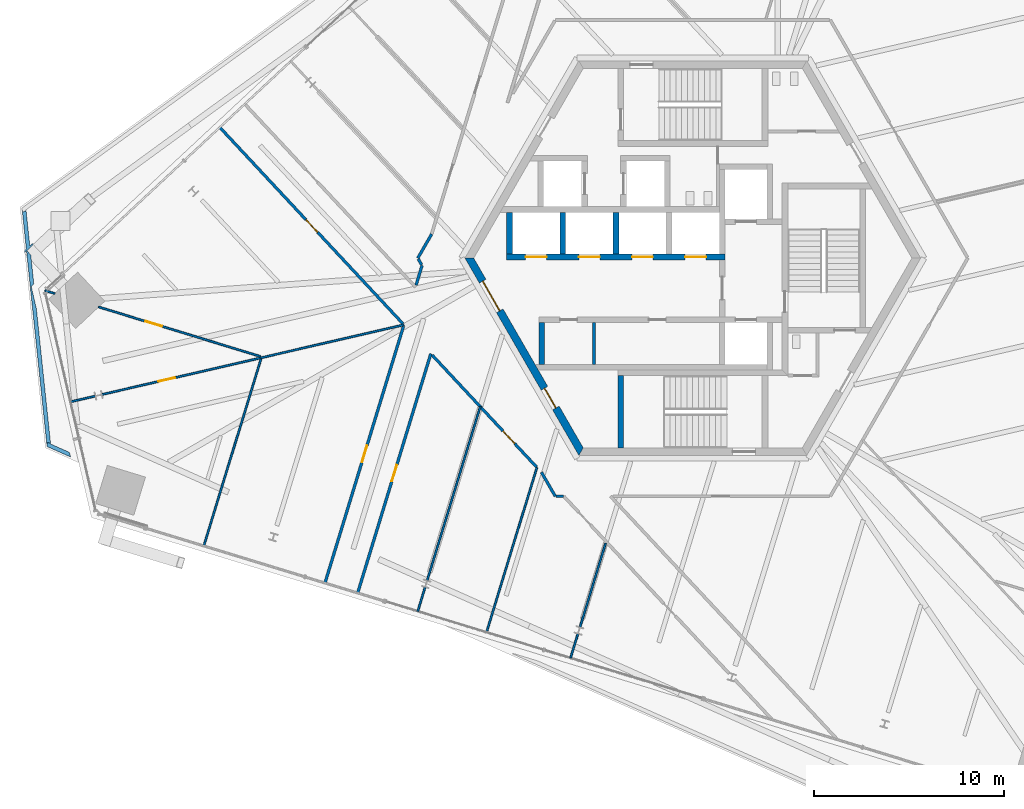
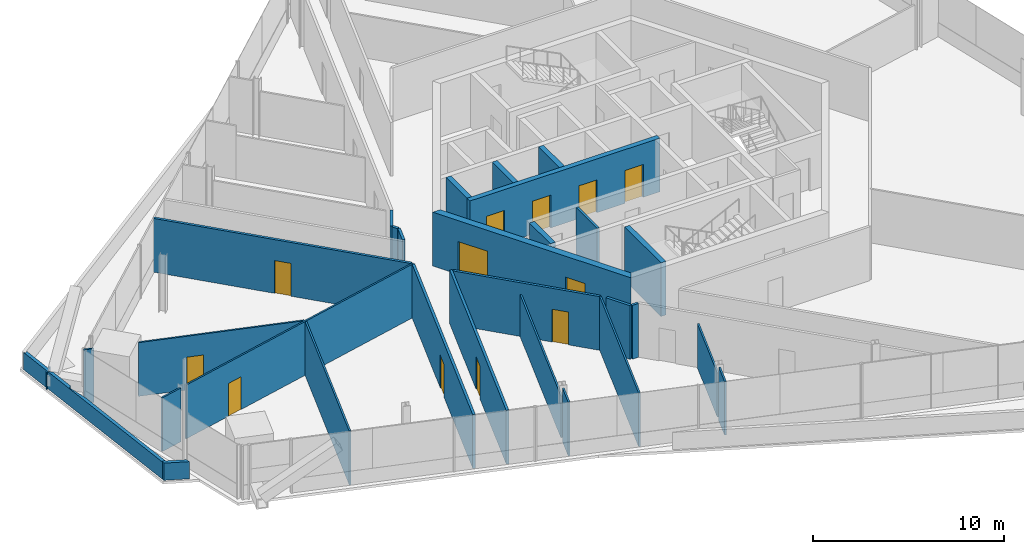
# One storey, part 18 of 25: 29 walls, 12 doors, 12 openings.
"""IFC4 building model written with IfcOpenShell, lengths in metres."""

from ifc_helpers import new_model, si_unit, direction, frame, frame_2d, origin, place, context, subcontext, project, spatial, polyline, rectangle, outline, extrude, source, transform, mapped, material, layer, layer_set, type_object, element, fill, save


model = new_model("IFC4")

# Units and contexts
model_context = context("Model", 3, precision=1e-05, world=origin(), true_north=direction((0.0, 1.0)))
body_context = subcontext(model_context, "Body", "Model", "MODEL_VIEW")
ifc_project = project(units=[si_unit("LENGTHUNIT", "METRE"), si_unit("AREAUNIT", "SQUARE_METRE"), si_unit("VOLUMEUNIT", "CUBIC_METRE"), si_unit("PLANEANGLEUNIT", "RADIAN"), si_unit("MASSUNIT", "GRAM", prefix="KILO")], contexts=[model_context])

# Site, building, storey
site_placement = place(None, origin())
site = spatial("IfcSite", under=ifc_project, at=site_placement, CompositionType="ELEMENT")
building_placement = place(site_placement, origin())
building = spatial("IfcBuilding", under=site, at=building_placement, Name="Triune Harvest Tower", CompositionType="ELEMENT")
storey_placement = place(building_placement, frame((0.0, 0.0, 98.300048828125)))
storey = spatial("IfcBuildingStorey", under=building, at=storey_placement, Name="L24", CompositionType="ELEMENT", Elevation=98.300048828125)

# Wall, opening, door
ifc_material_1 = material(Name="Gypsum board on steel studs", Category="steel")
ifc_layer_1 = layer(ifc_material_1, 0.14990234375)
ifc_layer_set_1 = layer_set([ifc_layer_1], Name="Gypsum board on steel studs")
wall_type_1 = type_object("IfcWallType", Name="Fire Partition 150 mm", PredefinedType="PARTITIONING", material=ifc_layer_set_1)
wall_1_placement = place(storey_placement, frame((-13.720947265625, -5.112548828125, 0.0), z_axis=(0.0, 0.0, 1.0), x_axis=(0.68199736401, -0.731354630452, 0.0)))
wall_1 = element("IfcWall", 1, at=wall_1_placement, inside=storey, type_object=wall_type_1, Name="Partition L24 005", PredefinedType="PARTITIONING", context=body_context, shape_type="SweptSolid", body=[
    extrude(rectangle(XDim=8.052734375, YDim=0.14990234375, at=frame_2d((4.0263671875, 0.0))), origin(), (0.0, 0.0, 1.0), 3.43994140625),
])
opening_1_placement = place(wall_1_placement, frame((5.459228515625, 0.0, 0.0)))
opening_1 = element("IfcOpeningElement", 2, at=opening_1_placement, cuts=wall_1, Name="Opening L24-014", PredefinedType="OPENING", context=body_context, shape_type="SweptSolid", body=[
    extrude(rectangle(XDim=0.89990234375, YDim=2.10009765625, at=frame_2d((0.449951171875, 1.050048828125))), frame((0.0, 0.0849609375, 0.0), z_axis=(0.0, -1.0, 0.0), x_axis=(1.0, 0.0, 0.0)), (0.0, 0.0, 1.0), 0.169921875),
])
ifc_material_2 = material(Name="Timber and steel door set", Category="steel")
door_type_1 = type_object("IfcDoorType", Name="Single leaf door FD30 left hand 900 x 2100", OperationType="SINGLE_SWING_LEFT", PredefinedType="DOOR", material=ifc_material_2)
door_1_placement = place(opening_1_placement, origin())
door_1 = element("IfcDoor", 3, at=door_1_placement, inside=storey, type_object=door_type_1, Name="Door L24-014 Phone room 24.14", OperationType="SINGLE_SWING_LEFT", OverallHeight=2.10009765625, OverallWidth=0.89990234375, PredefinedType="DOOR", context=body_context, shape_type="SweptSolid", body=[
    extrude(rectangle(XDim=0.89990234375, YDim=2.10009765625, at=frame_2d((0.449951171875, 1.050048828125))), frame((0.0, 0.02490234375, 0.0), z_axis=(0.0, -1.0, 0.0), x_axis=(1.0, 0.0, 0.0)), (0.0, 0.0, 1.0), 0.050048828125),
])
fill(opening_1, door_1)

# Walls
wall_2_placement = place(storey_placement, frame((-7.201416015625, -12.542236328125, 0.0), z_axis=(0.0, 0.0, 1.0), x_axis=(1.0, 0.0, 0.0)))
element("IfcWall", 4, at=wall_2_placement, inside=storey, type_object=wall_type_1, Name="Partition L24 023", PredefinedType="PARTITIONING", context=body_context, shape_type="SweptSolid", body=[
    extrude(rectangle(XDim=0.378662109375, YDim=0.14990234375, at=frame_2d((0.189453125, 0.0))), origin(), (0.0, 0.0, 1.0), 3.43994140625),
])
ifc_material_3 = material(Name="Concrete 40 MPa", Category="concrete")
ifc_layer_2 = layer(ifc_material_3, 0.199951171875)
ifc_layer_set_2 = layer_set([ifc_layer_2], Name="Concrete 40 MPa")
wall_type_2 = type_object("IfcWallType", Name="PA-1 parapet 200", PredefinedType="PARAPET", material=ifc_layer_set_2)
wall_3_placement = place(storey_placement, origin())
element("IfcWall", 5, at=wall_3_placement, inside=storey, type_object=wall_type_2, Name="Parapet wedge L23 3.1", PredefinedType="PARAPET", context=body_context, shape_type="SweptSolid", body=[
    extrude(outline(polyline([(-33.821044921875, -9.765869140625), (-33.818603515625, -9.788818359375), (-32.822265625, -10.232421875), (-32.765869140625, -10.4765625), (-34.005615234375, -9.924560546875), (-34.017578125, -9.809814453125), (-33.96875, -9.7001953125), (-33.821044921875, -9.765869140625)])), origin(), (0.0, 0.0, 1.0), 1.099853515625),
])
wall_4_placement = place(storey_placement, origin())
element("IfcWall", 6, at=wall_4_placement, inside=storey, type_object=wall_type_2, Name="Parapet wedge L23 3.3", PredefinedType="PARAPET", context=body_context, shape_type="SweptSolid", body=[
    extrude(outline(polyline([(-35.070556640625, 0.3916015625), (-34.865478515625, 0.171875), (-34.70458984375, -1.359619140625), (-34.84130859375, -1.48681640625), (-34.56591796875, -2.679931640625), (-33.821044921875, -9.765869140625), (-33.96875, -9.7001953125), (-34.017578125, -9.809814453125), (-35.088134765625, 0.375), (-35.1796875, 0.289794921875), (-35.190185546875, 0.389892578125), (-35.0986328125, 0.47509765625), (-35.313720703125, 2.522705078125), (-35.243408203125, 2.42578125), (-35.112548828125, 2.520751953125), (-34.91552734375, 0.64599609375), (-34.786376953125, 0.7666015625), (-34.7314453125, 0.70751953125), (-35.070556640625, 0.3916015625)])), origin(), (0.0, 0.0, 1.0), 1.099853515625),
])
ifc_material_4 = material(Name="Gypsum board on steel studs", Category="steel")
ifc_layer_3 = layer(ifc_material_4, 0.10009765625)
ifc_layer_set_3 = layer_set([ifc_layer_3], Name="Gypsum board on steel studs")
wall_type_3 = type_object("IfcWallType", Name="Partition 100 mm", PredefinedType="PARTITIONING", material=ifc_layer_set_3)
wall_5_placement = place(storey_placement, frame((-5.9423828125, -19.43701171875, 0.0), z_axis=(0.0, 0.0, 1.0), x_axis=(0.292340663711, 0.956314245602, 0.0)))
element("IfcWall", 7, at=wall_5_placement, inside=storey, type_object=wall_type_3, Name="Partition L24 034", PredefinedType="PARTITIONING", context=body_context, shape_type="SweptSolid", body=[
    extrude(rectangle(XDim=4.62158203125, YDim=0.10009765625, at=frame_2d((2.310791015625, 0.0))), origin(), (0.0, 0.0, 1.0), 2.82763671875),
])
wall_6_placement = place(storey_placement, frame((-10.864990234375, -19.708740234375, 0.0), z_axis=(0.0, 0.0, 1.0), x_axis=(0.292372185199, 0.956304609067, 0.0)))
element("IfcWall", 8, at=wall_6_placement, inside=storey, type_object=wall_type_3, Name="Partition L24 036", PredefinedType="PARTITIONING", context=body_context, shape_type="SweptSolid", body=[
    extrude(rectangle(XDim=9.082763671875, YDim=0.10009765625, at=frame_2d((4.54150390625, 0.0))), origin(), (0.0, 0.0, 1.0), 3.43994140625),
])
wall_7_placement = place(storey_placement, frame((-13.9892578125, -16.976806640625, 0.0), z_axis=(0.0, 0.0, 1.0), x_axis=(0.292364364926, 0.956306999933, 0.0)))
element("IfcWall", 9, at=wall_7_placement, inside=storey, type_object=wall_type_3, Name="Partition L24 038", PredefinedType="PARTITIONING", context=body_context, shape_type="SweptSolid", body=[
    extrude(rectangle(XDim=9.56982421875, YDim=0.10009765625, at=frame_2d((4.784912109375, 0.0))), origin(), (0.0, 0.0, 1.0), 2.682861328125),
])
wall_8_placement = place(storey_placement, frame((-25.75146484375, -15.157470703125, 0.0), z_axis=(0.0, 0.0, 1.0), x_axis=(0.292365545248, 0.956306639082, 0.0)))
element("IfcWall", 10, at=wall_8_placement, inside=storey, type_object=wall_type_3, Name="Partition L24 045", PredefinedType="PARTITIONING", context=body_context, shape_type="SweptSolid", body=[
    extrude(rectangle(XDim=10.29443359375, YDim=0.10009765625, at=frame_2d((5.147216796875, 0.0))), origin(), (0.0, 0.0, 1.0), 3.43994140625),
])

# Wall, openings, doors
ifc_material_5 = material(Name="Concrete 70 MPa", Category="concrete")
ifc_layer_4 = layer(ifc_material_5, 0.39990234375)
ifc_layer_set_4 = layer_set([ifc_layer_4], Name="Concrete 70 MPa")
wall_type_4 = type_object("IfcWallType", Name="Core wall 400", PredefinedType="SHEAR", material=ifc_layer_set_4)
shared_shape_1 = source(origin(), body_context, "Body", "SweptSolid", [
    extrude(outline(polyline([(-0.115478515625, -0.199951171875), (11.884521484375, -0.199951171875), (11.653564453125, 0.199951171875), (0.115478515625, 0.199951171875), (-0.115478515625, -0.199951171875)])), origin(), (0.0, 0.0, 1.0), 3.43994140625),
])
wall_9_placement = place(storey_placement, frame((-11.76904296875, 0.0, 0.0), z_axis=(0.0, 0.0, 1.0), x_axis=(0.499996592174, -0.866027371285, 0.0)))
wall_9 = element("IfcWall", 11, at=wall_9_placement, inside=storey, type_object=wall_type_4, Name="Hexagon 3 wall", PredefinedType="SHEAR", context=body_context, shape_type="MappedRepresentation", body=[
    mapped(shared_shape_1, transform((0.0, 0.0, 0.0), scale=1.0)),
])
opening_2_placement = place(wall_9_placement, frame((1.404541015625, 0.0, 0.0)))
opening_2 = element("IfcOpeningElement", 12, at=opening_2_placement, cuts=wall_9, Name="Opening CD-LS", PredefinedType="OPENING", context=body_context, shape_type="SweptSolid", body=[
    extrude(rectangle(XDim=1.800048828125, YDim=2.10009765625, at=frame_2d((0.89990234375, 1.050048828125))), frame((0.0, 0.2099609375, 0.0), z_axis=(0.0, -1.0, 0.0), x_axis=(1.0, 0.0, 0.0)), (0.0, 0.0, 1.0), 0.419921875),
])
opening_3_placement = place(wall_9_placement, frame((7.91455078125, 0.0, 0.0)))
opening_3 = element("IfcOpeningElement", 13, at=opening_3_placement, cuts=wall_9, Name="Opening CD-SWP", PredefinedType="OPENING", context=body_context, shape_type="SweptSolid", body=[
    extrude(rectangle(XDim=1.199951171875, YDim=2.10009765625, at=frame_2d((0.60009765625, 1.050048828125))), frame((0.0, 0.2099609375, 0.0), z_axis=(0.0, -1.0, 0.0), x_axis=(1.0, 0.0, 0.0)), (0.0, 0.0, 1.0), 0.419921875),
])
ifc_material_6 = material(Name="Steel S235", Category="steel")
door_type_2 = type_object("IfcDoorType", Name="Lobby door 1800 FD120", OperationType="DOUBLE_DOOR_DOUBLE_SWING", PredefinedType="DOOR", material=ifc_material_6)
door_2_placement = place(opening_2_placement, frame((1.800048828125, 0.0, 0.0), z_axis=(0.0, 0.0, 1.0), x_axis=(-1.0, 0.0, 0.0)))
door_2 = element("IfcDoor", 14, at=door_2_placement, inside=storey, type_object=door_type_2, Name="Door CD-LS", OperationType="DOUBLE_DOOR_DOUBLE_SWING", OverallHeight=2.10009765625, OverallWidth=1.800048828125, PredefinedType="DOOR", context=body_context, shape_type="SweptSolid", body=[
    extrude(rectangle(XDim=1.800048828125, YDim=2.10009765625, at=frame_2d((0.89990234375, 1.050048828125))), frame((0.0, 0.02490234375, 0.0), z_axis=(0.0, -1.0, 0.0), x_axis=(1.0, 0.0, 0.0)), (0.0, 0.0, 1.0), 0.050048828125),
])
fill(opening_2, door_2)
ifc_material_7 = material(Name="Steel S235", Category="steel")
door_type_3 = type_object("IfcDoorType", Name="Service door 1200 FD120", OperationType="SINGLE_SWING_LEFT", PredefinedType="DOOR", material=ifc_material_7)
door_3_placement = place(opening_3_placement, frame((1.199951171875, 0.0, 0.0), z_axis=(0.0, 0.0, 1.0), x_axis=(-1.0, 0.0, 0.0)))
door_3 = element("IfcDoor", 15, at=door_3_placement, inside=storey, type_object=door_type_3, Name="Door CD-SWP", OperationType="SINGLE_SWING_RIGHT", OverallHeight=2.10009765625, OverallWidth=1.199951171875, PredefinedType="DOOR", context=body_context, shape_type="SweptSolid", body=[
    extrude(rectangle(XDim=1.199951171875, YDim=2.10009765625, at=frame_2d((0.60009765625, 1.050048828125))), frame((0.0, 0.02490234375, 0.0), z_axis=(0.0, -1.0, 0.0), x_axis=(1.0, 0.0, 0.0)), (0.0, 0.0, 1.0), 0.050048828125),
])
fill(opening_3, door_3)

ifc_material_8 = material(Name="Concrete 70 MPa", Category="concrete")
ifc_layer_5 = layer(ifc_material_8, 0.300048828125)
ifc_layer_set_5 = layer_set([ifc_layer_5], Name="Concrete 70 MPa")
wall_type_5 = type_object("IfcWallType", Name="Core wall 300", PredefinedType="SHEAR", material=ifc_layer_set_5)
shared_shape_2 = source(origin(), body_context, "Body", "SweptSolid", [
    extrude(rectangle(XDim=11.5, YDim=0.300048828125, at=frame_2d((5.75, 0.0))), origin(), (0.0, 0.0, 1.0), 3.43994140625),
])
wall_10_placement = place(storey_placement, frame((-9.800048828125, 0.06005859375, 0.0), z_axis=(0.0, 0.0, 1.0), x_axis=(1.0, 0.0, 0.0)))
wall_10 = element("IfcWall", 16, at=wall_10_placement, inside=storey, type_object=wall_type_5, Name="North front wall", PredefinedType="SHEAR", context=body_context, shape_type="MappedRepresentation", body=[
    mapped(shared_shape_2, transform((0.0, 0.0, 0.0), scale=1.0)),
])
opening_4_placement = place(wall_10_placement, frame((1.0, 0.0, 0.0)))
opening_4 = element("IfcOpeningElement", 17, at=opening_4_placement, cuts=wall_10, Name="Opening LD-LR1-24", PredefinedType="OPENING", context=body_context, shape_type="SweptSolid", body=[
    extrude(rectangle(XDim=1.10009765625, YDim=2.10009765625, at=frame_2d((0.550048828125, 1.050048828125))), frame((0.0, 0.16015625, 0.0), z_axis=(0.0, -1.0, 0.0), x_axis=(1.0, 0.0, 0.0)), (0.0, 0.0, 1.0), 0.320068359375),
])
opening_5_placement = place(wall_10_placement, frame((3.800048828125, 0.0, 0.0)))
opening_5 = element("IfcOpeningElement", 18, at=opening_5_placement, cuts=wall_10, Name="Opening LD-LR2-24", PredefinedType="OPENING", context=body_context, shape_type="SweptSolid", body=[
    extrude(rectangle(XDim=1.10009765625, YDim=2.10009765625, at=frame_2d((0.550048828125, 1.050048828125))), frame((0.0, 0.16015625, 0.0), z_axis=(0.0, -1.0, 0.0), x_axis=(1.0, 0.0, 0.0)), (0.0, 0.0, 1.0), 0.320068359375),
])
opening_6_placement = place(wall_10_placement, frame((6.60009765625, 0.0, 0.0)))
opening_6 = element("IfcOpeningElement", 19, at=opening_6_placement, cuts=wall_10, Name="Opening LD-LR3-24", PredefinedType="OPENING", context=body_context, shape_type="SweptSolid", body=[
    extrude(rectangle(XDim=1.10009765625, YDim=2.10009765625, at=frame_2d((0.550048828125, 1.050048828125))), frame((0.0, 0.16015625, 0.0), z_axis=(0.0, -1.0, 0.0), x_axis=(1.0, 0.0, 0.0)), (0.0, 0.0, 1.0), 0.320068359375),
])
opening_7_placement = place(wall_10_placement, frame((9.39990234375, 0.0, 0.0)))
opening_7 = element("IfcOpeningElement", 20, at=opening_7_placement, cuts=wall_10, Name="Opening LD-LR4-24", PredefinedType="OPENING", context=body_context, shape_type="SweptSolid", body=[
    extrude(rectangle(XDim=1.10009765625, YDim=2.10009765625, at=frame_2d((0.550048828125, 1.050048828125))), frame((0.0, 0.16015625, 0.0), z_axis=(0.0, -1.0, 0.0), x_axis=(1.0, 0.0, 0.0)), (0.0, 0.0, 1.0), 0.320068359375),
])
ifc_material_9 = material(Name="Stainless steel AISI 304", Category="steel")
door_type_4 = type_object("IfcDoorType", Name="Landing door 1100 x 2100", OperationType="DOUBLE_DOOR_SLIDING", PredefinedType="DOOR", material=ifc_material_9)
door_4_placement = place(opening_4_placement, origin())
door_4 = element("IfcDoor", 21, at=door_4_placement, inside=storey, type_object=door_type_4, Name="Door LD-LR1-24", OperationType="DOUBLE_DOOR_SLIDING", OverallHeight=2.10009765625, OverallWidth=1.10009765625, PredefinedType="DOOR", context=body_context, shape_type="SweptSolid", body=[
    extrude(rectangle(XDim=1.10009765625, YDim=2.10009765625, at=frame_2d((0.550048828125, 1.050048828125))), frame((0.0, 0.02490234375, 0.0), z_axis=(0.0, -1.0, 0.0), x_axis=(1.0, 0.0, 0.0)), (0.0, 0.0, 1.0), 0.050048828125),
])
fill(opening_4, door_4)
door_5_placement = place(opening_5_placement, origin())
door_5 = element("IfcDoor", 22, at=door_5_placement, inside=storey, type_object=door_type_4, Name="Door LD-LR2-24", OperationType="DOUBLE_DOOR_SLIDING", OverallHeight=2.10009765625, OverallWidth=1.10009765625, PredefinedType="DOOR", context=body_context, shape_type="SweptSolid", body=[
    extrude(rectangle(XDim=1.10009765625, YDim=2.10009765625, at=frame_2d((0.550048828125, 1.050048828125))), frame((0.0, 0.02490234375, 0.0), z_axis=(0.0, -1.0, 0.0), x_axis=(1.0, 0.0, 0.0)), (0.0, 0.0, 1.0), 0.050048828125),
])
fill(opening_5, door_5)
door_6_placement = place(opening_6_placement, origin())
door_6 = element("IfcDoor", 23, at=door_6_placement, inside=storey, type_object=door_type_4, Name="Door LD-LR3-24", OperationType="DOUBLE_DOOR_SLIDING", OverallHeight=2.10009765625, OverallWidth=1.10009765625, PredefinedType="DOOR", context=body_context, shape_type="SweptSolid", body=[
    extrude(rectangle(XDim=1.10009765625, YDim=2.10009765625, at=frame_2d((0.550048828125, 1.050048828125))), frame((0.0, 0.02490234375, 0.0), z_axis=(0.0, -1.0, 0.0), x_axis=(1.0, 0.0, 0.0)), (0.0, 0.0, 1.0), 0.050048828125),
])
fill(opening_6, door_6)
door_7_placement = place(opening_7_placement, origin())
door_7 = element("IfcDoor", 24, at=door_7_placement, inside=storey, type_object=door_type_4, Name="Door LD-LR4-24", OperationType="DOUBLE_DOOR_SLIDING", OverallHeight=2.10009765625, OverallWidth=1.10009765625, PredefinedType="DOOR", context=body_context, shape_type="SweptSolid", body=[
    extrude(rectangle(XDim=1.10009765625, YDim=2.10009765625, at=frame_2d((0.550048828125, 1.050048828125))), frame((0.0, 0.02490234375, 0.0), z_axis=(0.0, -1.0, 0.0), x_axis=(1.0, 0.0, 0.0)), (0.0, 0.0, 1.0), 0.050048828125),
])
fill(opening_7, door_7)

# Walls
shared_shape_3 = source(origin(), body_context, "Body", "SweptSolid", [
    extrude(rectangle(XDim=2.2001953125, YDim=0.300048828125, at=frame_2d((1.10009765625, 0.0))), origin(), (0.0, 0.0, 1.0), 3.43994140625),
])
wall_11_placement = place(storey_placement, frame((-7.949951171875, -5.590087890625, 0.0), z_axis=(0.0, 0.0, 1.0), x_axis=(0.0, 1.0, 0.0)))
element("IfcWall", 25, at=wall_11_placement, inside=storey, type_object=wall_type_5, Name="South end west wall", PredefinedType="SHEAR", context=body_context, shape_type="MappedRepresentation", body=[
    mapped(shared_shape_3, transform((0.0, 0.0, 0.0), scale=1.0)),
])
shared_shape_4 = source(origin(), body_context, "Body", "SweptSolid", [
    extrude(rectangle(XDim=2.199951171875, YDim=0.300048828125, at=frame_2d((1.10009765625, 0.0))), origin(), (0.0, 0.0, 1.0), 3.43994140625),
])
for number, where, z_axis, x_axis, name in (
    (26, (-9.64990234375, 0.2099609375, 0.0), (0.0, 0.0, 1.0), (0.0, 1.0, 0.0), "North end west wall"),
    (27, (-6.85009765625, 0.2099609375, 0.0), (0.0, 0.0, 1.0), (0.0, 1.0, 0.0), "North cross 1 wall"),
    (28, (-4.050048828125, 0.2099609375, 0.0), (0.0, 0.0, 1.0), (0.0, 1.0, 0.0), "North cross 2 wall"),
):
    element("IfcWall", number, at=place(storey_placement, frame(where, z_axis=z_axis, x_axis=x_axis)), inside=storey, type_object=wall_type_5, Name=name, PredefinedType="SHEAR", context=body_context, shape_type="MappedRepresentation", body=[
        mapped(shared_shape_4, transform((0.0, 0.0, 0.0), scale=1.0)),
    ])
shared_shape_5 = source(origin(), body_context, "Body", "SweptSolid", [
    extrude(outline(polyline([(3.800048828125, -0.14990234375), (-0.00439453125, -0.14990234375), (-0.00439453125, 0.14990234375), (3.800048828125, 0.14990234375), (3.800048828125, -0.14990234375)])), origin(), (0.0, 0.0, 1.0), 3.43994140625),
])
wall_12_placement = place(storey_placement, frame((-3.800048828125, -9.989990234375, 0.0), z_axis=(0.0, 0.0, 1.0), x_axis=(0.0, 1.0, 0.0)))
element("IfcWall", 29, at=wall_12_placement, inside=storey, type_object=wall_type_5, Name="Stair s west wall", PredefinedType="SHEAR", context=body_context, shape_type="MappedRepresentation", body=[
    mapped(shared_shape_5, transform((0.0, 0.0, 0.0), scale=1.0)),
])
ifc_material_10 = material(Name="Concrete masonry unit", Category="masonry")
ifc_layer_6 = layer(ifc_material_10, 0.14990234375)
ifc_layer_set_6 = layer_set([ifc_layer_6], Name="Concrete masonry unit")
wall_type_6 = type_object("IfcWallType", Name="Block partition 150", PredefinedType="PARTITIONING", material=ifc_layer_set_6)
shared_shape_6 = source(origin(), body_context, "Body", "SweptSolid", [
    extrude(rectangle(XDim=2.2001953125, YDim=0.14990234375, at=frame_2d((1.10009765625, 0.0))), origin(), (0.0, 0.0, 1.0), 3.43994140625),
])
wall_13_placement = place(storey_placement, frame((-5.199951171875, -5.590087890625, 0.0), z_axis=(0.0, 0.0, 1.0), x_axis=(0.0, 1.0, 0.0)))
element("IfcWall", 30, at=wall_13_placement, inside=storey, type_object=wall_type_6, Name="Row s part 1 wall", PredefinedType="PARTITIONING", context=body_context, shape_type="MappedRepresentation", body=[
    mapped(shared_shape_6, transform((0.0, 0.0, 0.0), scale=1.0)),
])
shared_shape_7 = source(origin(), body_context, "Body", "SweptSolid", [
    extrude(rectangle(XDim=0.358642578125, YDim=0.14990234375, at=frame_2d((0.17919921875, 0.0))), origin(), (0.0, 0.0, 1.0), 3.43994140625),
])
wall_14_placement = place(storey_placement, frame((-14.457275390625, -0.044189453125, 0.0), z_axis=(0.0, 0.0, 1.0), x_axis=(0.499506421781, -0.866310183825, 0.0)))
element("IfcWall", 31, at=wall_14_placement, inside=storey, type_object=wall_type_1, Name="Partition L24 001", PredefinedType="PARTITIONING", context=body_context, shape_type="MappedRepresentation", body=[
    mapped(shared_shape_7, transform((0.0, 0.0, 0.0), scale=1.0)),
])
shared_shape_8 = source(origin(), body_context, "Body", "SweptSolid", [
    extrude(rectangle(XDim=1.45849609375, YDim=0.14990234375, at=frame_2d((0.729248046875, 0.0))), origin(), (0.0, 0.0, 1.0), 3.43994140625),
])
for number, where, z_axis, x_axis, name in (
    (32, (-7.9716796875, -11.27880859375, 0.0), (0.0, 0.0, 1.0), (0.499973600159, -0.866040645203, 0.0), "Partition L24 002"),
    (33, (-14.482421875, 0.000244140625, 0.0), (0.0, 0.0, 1.0), (0.499973600159, 0.866040645203, 0.0), "Partition L24 031"),
):
    element("IfcWall", number, at=place(storey_placement, frame(where, z_axis=z_axis, x_axis=x_axis)), inside=storey, type_object=wall_type_1, Name=name, PredefinedType="PARTITIONING", context=body_context, shape_type="MappedRepresentation", body=[
        mapped(shared_shape_8, transform((0.0, 0.0, 0.0), scale=1.0)),
    ])

# Wall, opening, door
shared_shape_9 = source(origin(), body_context, "Body", "SweptSolid", [
    extrude(rectangle(XDim=14.137451171875, YDim=0.14990234375, at=frame_2d((7.06884765625, 0.0))), origin(), (0.0, 0.0, 1.0), 3.43994140625),
])
wall_15_placement = place(storey_placement, frame((-24.909423828125, 6.885986328125, 0.0), z_axis=(0.0, 0.0, 1.0), x_axis=(0.681989618145, -0.731361853491, 0.0)))
wall_15 = element("IfcWall", 34, at=wall_15_placement, inside=storey, type_object=wall_type_1, Name="Partition L24 004", PredefinedType="PARTITIONING", context=body_context, shape_type="MappedRepresentation", body=[
    mapped(shared_shape_9, transform((0.0, 0.0, 0.0), scale=1.0)),
])
opening_8_placement = place(wall_15_placement, frame((6.650146484375, 0.0, 0.0)))
opening_8 = element("IfcOpeningElement", 35, at=opening_8_placement, cuts=wall_15, Name="Opening L24-008", PredefinedType="OPENING", context=body_context, shape_type="SweptSolid", body=[
    extrude(rectangle(XDim=0.89990234375, YDim=2.10009765625, at=frame_2d((0.449951171875, 1.050048828125))), frame((0.0, 0.0849609375, 0.0), z_axis=(0.0, -1.0, 0.0), x_axis=(1.0, 0.0, 0.0)), (0.0, 0.0, 1.0), 0.169921875),
])
ifc_material_11 = material(Name="Timber and steel door set", Category="steel")
door_type_5 = type_object("IfcDoorType", Name="Single leaf door FD30 right hand 900 x 2100", OperationType="SINGLE_SWING_RIGHT", PredefinedType="DOOR", material=ifc_material_11)
door_8_placement = place(opening_8_placement, origin())
door_8 = element("IfcDoor", 36, at=door_8_placement, inside=storey, type_object=door_type_5, Name="Door L24-008 Office 24.08", OperationType="SINGLE_SWING_RIGHT", OverallHeight=2.10009765625, OverallWidth=0.89990234375, PredefinedType="DOOR", context=body_context, shape_type="SweptSolid", body=[
    extrude(rectangle(XDim=0.89990234375, YDim=2.10009765625, at=frame_2d((0.449951171875, 1.050048828125))), frame((0.0, 0.02490234375, 0.0), z_axis=(0.0, -1.0, 0.0), x_axis=(1.0, 0.0, 0.0)), (0.0, 0.0, 1.0), 0.050048828125),
])
fill(opening_8, door_8)

wall_16_placement = place(storey_placement, frame((-19.3701171875, -17.108642578125, 0.0), z_axis=(0.0, 0.0, 1.0), x_axis=(0.292364630353, 0.956306918786, 0.0)))
wall_16 = element("IfcWall", 37, at=wall_16_placement, inside=storey, type_object=wall_type_1, Name="Partition L24 041", PredefinedType="PARTITIONING", context=body_context, shape_type="MappedRepresentation", body=[
    mapped(shared_shape_9, transform((0.0, 0.0, 0.0), scale=1.0)),
])
opening_9_placement = place(wall_16_placement, frame((6.66748046875, 0.0, 0.0)))
opening_9 = element("IfcOpeningElement", 38, at=opening_9_placement, cuts=wall_16, Name="Opening L24-012", PredefinedType="OPENING", context=body_context, shape_type="SweptSolid", body=[
    extrude(rectangle(XDim=0.89990234375, YDim=2.10009765625, at=frame_2d((0.449951171875, 1.050048828125))), frame((0.0, 0.0849609375, 0.0), z_axis=(0.0, -1.0, 0.0), x_axis=(1.0, 0.0, 0.0)), (0.0, 0.0, 1.0), 0.169921875),
])
door_9_placement = place(opening_9_placement, origin())
door_9 = element("IfcDoor", 39, at=door_9_placement, inside=storey, type_object=door_type_5, Name="Door L24-012 Office 24.12", OperationType="SINGLE_SWING_RIGHT", OverallHeight=2.10009765625, OverallWidth=0.89990234375, PredefinedType="DOOR", context=body_context, shape_type="SweptSolid", body=[
    extrude(rectangle(XDim=0.89990234375, YDim=2.10009765625, at=frame_2d((0.449951171875, 1.050048828125))), frame((0.0, 0.02490234375, 0.0), z_axis=(0.0, -1.0, 0.0), x_axis=(1.0, 0.0, 0.0)), (0.0, 0.0, 1.0), 0.050048828125),
])
fill(opening_9, door_9)

shared_shape_10 = source(origin(), body_context, "Body", "SweptSolid", [
    extrude(rectangle(XDim=13.17822265625, YDim=0.14990234375, at=frame_2d((6.589111328125, 0.0))), origin(), (0.0, 0.0, 1.0), 3.43994140625),
])
wall_17_placement = place(storey_placement, frame((-17.6484375, -17.635009765625, 0.0), z_axis=(0.0, 0.0, 1.0), x_axis=(0.292357849655, 0.956308991773, 0.0)))
wall_17 = element("IfcWall", 40, at=wall_17_placement, inside=storey, type_object=wall_type_1, Name="Partition L24 039", PredefinedType="PARTITIONING", context=body_context, shape_type="MappedRepresentation", body=[
    mapped(shared_shape_10, transform((0.0, 0.0, 0.0), scale=1.0)),
])
opening_10_placement = place(wall_17_placement, frame((6.14990234375, 0.0, 0.0)))
opening_10 = element("IfcOpeningElement", 41, at=opening_10_placement, cuts=wall_17, Name="Opening L24-013", PredefinedType="OPENING", context=body_context, shape_type="SweptSolid", body=[
    extrude(rectangle(XDim=0.89990234375, YDim=2.10009765625, at=frame_2d((0.449951171875, 1.050048828125))), frame((0.0, 0.0849609375, 0.0), z_axis=(0.0, -1.0, 0.0), x_axis=(1.0, 0.0, 0.0)), (0.0, 0.0, 1.0), 0.169921875),
])
door_10_placement = place(opening_10_placement, origin())
door_10 = element("IfcDoor", 42, at=door_10_placement, inside=storey, type_object=door_type_1, Name="Door L24-013 Meeting Room 24.13", OperationType="SINGLE_SWING_LEFT", OverallHeight=2.10009765625, OverallWidth=0.89990234375, PredefinedType="DOOR", context=body_context, shape_type="SweptSolid", body=[
    extrude(rectangle(XDim=0.89990234375, YDim=2.10009765625, at=frame_2d((0.449951171875, 1.050048828125))), frame((0.0, 0.02490234375, 0.0), z_axis=(0.0, -1.0, 0.0), x_axis=(1.0, 0.0, 0.0)), (0.0, 0.0, 1.0), 0.050048828125),
])
fill(opening_10, door_10)

# Walls
shared_shape_11 = source(origin(), body_context, "Body", "SweptSolid", [
    extrude(rectangle(XDim=1.338134765625, YDim=0.10009765625, at=frame_2d((0.6689453125, 0.0))), origin(), (0.0, 0.0, 1.0), 3.43994140625),
])
wall_18_placement = place(storey_placement, frame((-32.770751953125, -7.56591796875, 0.0), z_axis=(0.0, 0.0, 1.0), x_axis=(0.974363511026, 0.224979439906, 0.0)))
element("IfcWall", 43, at=wall_18_placement, inside=storey, type_object=wall_type_3, Name="Partition L24 026", PredefinedType="PARTITIONING", context=body_context, shape_type="MappedRepresentation", body=[
    mapped(shared_shape_11, transform((0.0, 0.0, 0.0), scale=1.0)),
])
shared_shape_12 = source(origin(), body_context, "Body", "SweptSolid", [
    extrude(rectangle(XDim=0.552490234375, YDim=0.10009765625, at=frame_2d((0.2763671875, 0.0))), origin(), (0.0, 0.0, 1.0), 3.43994140625),
])
wall_19_placement = place(storey_placement, frame((-34.12353515625, -1.70654296875, 0.0), z_axis=(0.0, 0.0, 1.0), x_axis=(0.956379013247, -0.292128709684, 0.0)))
element("IfcWall", 44, at=wall_19_placement, inside=storey, type_object=wall_type_3, Name="Partition L24 019", PredefinedType="PARTITIONING", context=body_context, shape_type="MappedRepresentation", body=[
    mapped(shared_shape_12, transform((0.0, 0.0, 0.0), scale=1.0)),
])

# Wall, opening, door
shared_shape_13 = source(origin(), body_context, "Body", "SweptSolid", [
    extrude(rectangle(XDim=8.922607421875, YDim=0.10009765625, at=frame_2d((4.46142578125, 0.0))), origin(), (0.0, 0.0, 1.0), 3.43994140625),
])
wall_20_placement = place(storey_placement, frame((-31.298095703125, -2.5703125, 0.0), z_axis=(0.0, 0.0, 1.0), x_axis=(0.956306954014, -0.292364515126, 0.0)))
wall_20 = element("IfcWall", 45, at=wall_20_placement, inside=storey, type_object=wall_type_3, Name="Partition L24 020", PredefinedType="PARTITIONING", context=body_context, shape_type="MappedRepresentation", body=[
    mapped(shared_shape_13, transform((0.0, 0.0, 0.0), scale=1.0)),
])
opening_11_placement = place(wall_20_placement, frame((2.595703125, 0.0, 0.0)))
opening_11 = element("IfcOpeningElement", 46, at=opening_11_placement, cuts=wall_20, Name="Opening L24-010", PredefinedType="OPENING", context=body_context, shape_type="SweptSolid", body=[
    extrude(rectangle(XDim=0.89990234375, YDim=2.10009765625, at=frame_2d((0.449951171875, 1.050048828125))), frame((0.0, 0.06005859375, 0.0), z_axis=(0.0, -1.0, 0.0), x_axis=(1.0, 0.0, 0.0)), (0.0, 0.0, 1.0), 0.1201171875),
])
ifc_material_12 = material(Name="Timber and steel door set", Category="steel")
door_type_6 = type_object("IfcDoorType", Name="Single leaf door right hand 900 x 2100", OperationType="SINGLE_SWING_RIGHT", PredefinedType="DOOR", material=ifc_material_12)
door_11_placement = place(opening_11_placement, origin())
door_11 = element("IfcDoor", 47, at=door_11_placement, inside=storey, type_object=door_type_6, Name="Door L24-010 Pantry 24.10", OperationType="SINGLE_SWING_RIGHT", OverallHeight=2.10009765625, OverallWidth=0.89990234375, PredefinedType="DOOR", context=body_context, shape_type="SweptSolid", body=[
    extrude(rectangle(XDim=0.89990234375, YDim=2.10009765625, at=frame_2d((0.449951171875, 1.050048828125))), frame((0.0, 0.02490234375, 0.0), z_axis=(0.0, -1.0, 0.0), x_axis=(1.0, 0.0, 0.0)), (0.0, 0.0, 1.0), 0.050048828125),
])
fill(opening_11, door_11)

shared_shape_14 = source(origin(), body_context, "Body", "SweptSolid", [
    extrude(rectangle(XDim=16.320068359375, YDim=0.10009765625, at=frame_2d((8.16015625, 0.0))), origin(), (0.0, 0.0, 1.0), 3.43994140625),
])
wall_21_placement = place(storey_placement, frame((-31.115234375, -7.18359375, 0.0), z_axis=(0.0, 0.0, 1.0), x_axis=(0.974367994978, 0.224960019475, 0.0)))
wall_21 = element("IfcWall", 48, at=wall_21_placement, inside=storey, type_object=wall_type_3, Name="Partition L24 027", PredefinedType="PARTITIONING", context=body_context, shape_type="MappedRepresentation", body=[
    mapped(shared_shape_14, transform((0.0, 0.0, 0.0), scale=1.0)),
])
opening_12_placement = place(wall_21_placement, frame((3.05078125, 0.0, 0.0)))
opening_12 = element("IfcOpeningElement", 49, at=opening_12_placement, cuts=wall_21, Name="Opening L24-011", PredefinedType="OPENING", context=body_context, shape_type="SweptSolid", body=[
    extrude(rectangle(XDim=0.89990234375, YDim=2.10009765625, at=frame_2d((0.449951171875, 1.050048828125))), frame((0.0, 0.06005859375, 0.0), z_axis=(0.0, -1.0, 0.0), x_axis=(1.0, 0.0, 0.0)), (0.0, 0.0, 1.0), 0.1201171875),
])
door_12_placement = place(opening_12_placement, origin())
door_12 = element("IfcDoor", 50, at=door_12_placement, inside=storey, type_object=door_type_6, Name="Door L24-011 Reception 24.11", OperationType="SINGLE_SWING_RIGHT", OverallHeight=2.10009765625, OverallWidth=0.89990234375, PredefinedType="DOOR", context=body_context, shape_type="SweptSolid", body=[
    extrude(rectangle(XDim=0.89990234375, YDim=2.10009765625, at=frame_2d((0.449951171875, 1.050048828125))), frame((0.0, 0.02490234375, 0.0), z_axis=(0.0, -1.0, 0.0), x_axis=(1.0, 0.0, 0.0)), (0.0, 0.0, 1.0), 0.050048828125),
])
fill(opening_12, door_12)

# Walls
shared_shape_15 = source(origin(), body_context, "Body", "SweptSolid", [
    extrude(rectangle(XDim=1.33837890625, YDim=0.10009765625, at=frame_2d((0.669189453125, 0.0))), origin(), (0.0, 0.0, 1.0), 3.43994140625),
])
for number, where, z_axis, x_axis, name in (
    (51, (-6.439208984375, -21.06201171875, 0.0), (0.0, 0.0, 1.0), (0.292213901436, 0.956352987033, 0.0), "Partition L24 033"),
    (52, (-14.486083984375, -18.601806640625, 0.0), (0.0, 0.0, 1.0), (0.292431725513, 0.956286403706, 0.0), "Partition L24 037"),
):
    element("IfcWall", number, at=place(storey_placement, frame(where, z_axis=z_axis, x_axis=x_axis)), inside=storey, type_object=wall_type_3, Name=name, PredefinedType="PARTITIONING", context=body_context, shape_type="MappedRepresentation", body=[
        mapped(shared_shape_15, transform((0.0, 0.0, 0.0), scale=1.0)),
    ])
shared_shape_16 = source(origin(), body_context, "Body", "SweptSolid", [
    extrude(rectangle(XDim=1.078125, YDim=0.14990234375, at=frame_2d((0.5390625, 0.0))), origin(), (0.0, 0.0, 1.0), 3.43994140625),
])
wall_22_placement = place(storey_placement, frame((-14.5732421875, -1.419189453125, 0.0), z_axis=(0.0, 0.0, 1.0), x_axis=(0.29214373793, 0.956374422697, 0.0)))
element("IfcWall", 53, at=wall_22_placement, inside=storey, type_object=wall_type_1, Name="Partition L24 042", PredefinedType="PARTITIONING", context=body_context, shape_type="MappedRepresentation", body=[
    mapped(shared_shape_16, transform((0.0, 0.0, 0.0), scale=1.0)),
])

save(model, "model.ifc")
